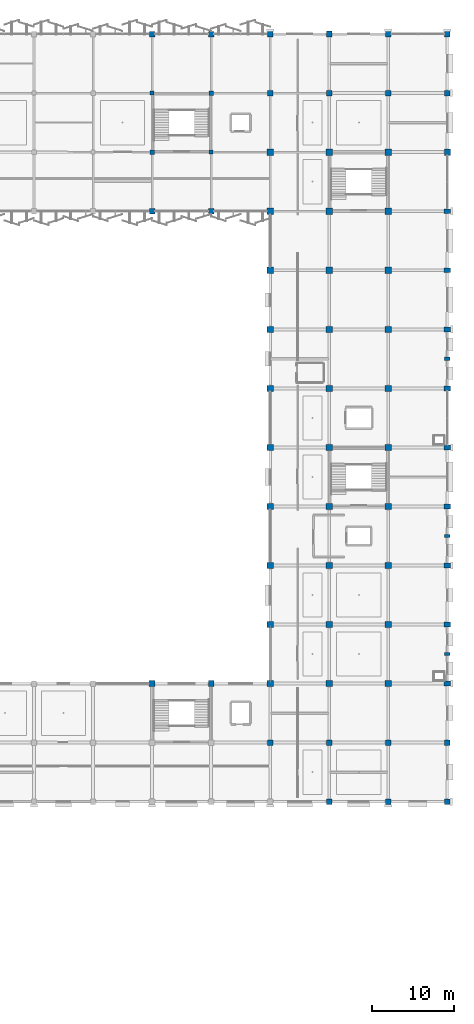
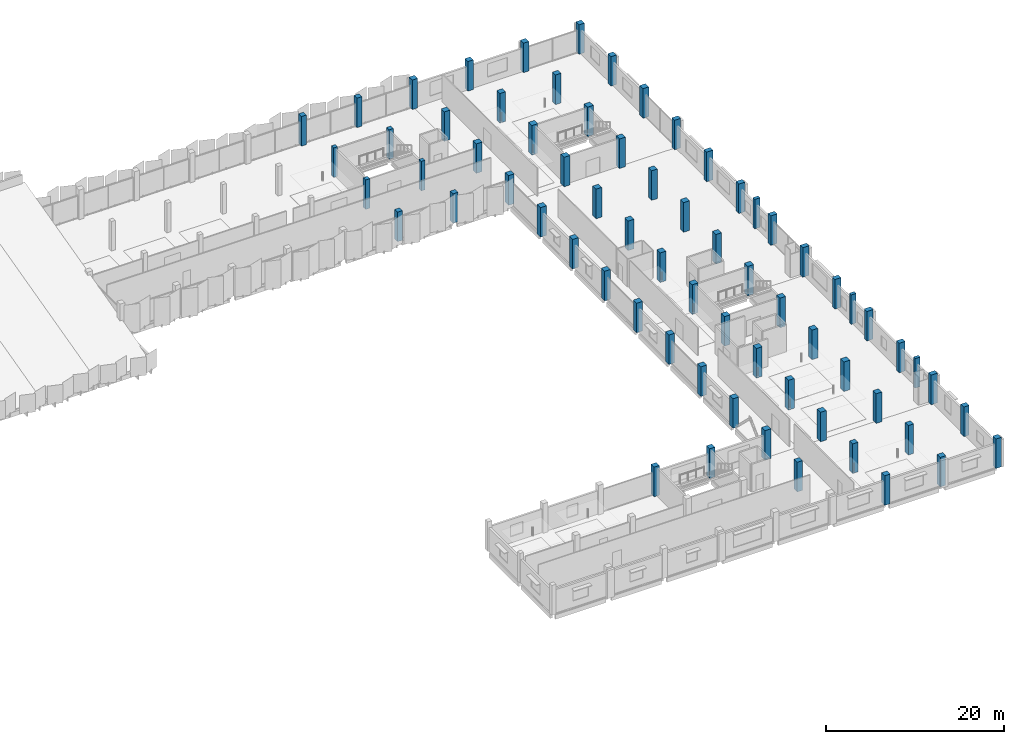
# One storey, part 2 of 108: 68 columns.
"""IFC4 building model written with IfcOpenShell, lengths in metres."""

from ifc_helpers import new_model, si_unit, direction, frame, origin, origin_2d, place, context, subcontext, project, spatial, rectangle, extrude, material, material_profile, profile_set, type_object, element, save


model = new_model("IFC4")

# Units and contexts
model_context = context("Model", 3, precision=1e-05, world=origin(), true_north=direction((0.0, 1.0)))
body_context = subcontext(model_context, "Body", "Model", "MODEL_VIEW")
ifc_project = project(units=[si_unit("LENGTHUNIT", "METRE"), si_unit("AREAUNIT", "SQUARE_METRE"), si_unit("VOLUMEUNIT", "CUBIC_METRE"), si_unit("PLANEANGLEUNIT", "RADIAN"), si_unit("MASSUNIT", "GRAM", prefix="KILO")], contexts=[model_context])

# Site, building, storey
site_placement = place(None, origin())
site = spatial("IfcSite", under=ifc_project, at=site_placement, CompositionType="ELEMENT")
building_placement = place(site_placement, origin())
building = spatial("IfcBuilding", under=site, at=building_placement, Name="Kangsadwip Square Police Headquarters", CompositionType="ELEMENT")
storey_placement = place(building_placement, frame((0.0, 0.0, 9.449951171875)))
storey = spatial("IfcBuildingStorey", under=building, at=storey_placement, Name="L02", CompositionType="ELEMENT", Elevation=9.449951171875)

# Columns
ifc_material_1 = material(Name="Concrete M35 (35 MPa)", Category="concrete")
ifc_material_profile_1 = material_profile(ifc_material_1, rectangle(XDim=0.5, YDim=0.5, at=origin_2d()), Name="RC COL 500X500")
ifc_profile_set_1 = profile_set([ifc_material_profile_1], Name="Concrete M35 (35 MPa)")
column_type_1 = type_object("IfcColumnType", Name="RcCol500x500", PredefinedType="COLUMN", material=ifc_profile_set_1)
for number, where, z_axis, x_axis, name in (
    (1, (129.60009765625, 108.0, 0.0), (0.0, 0.0, 1.0), (1.0, 0.0, 0.0), "Column COL-L02-18-15"),
    (2, (136.800048828125, 100.800048828125, 0.0), (0.0, 0.0, 1.0), (1.0, 0.0, 0.0), "Column COL-L02-19-14"),
):
    element("IfcColumn", number, at=place(storey_placement, frame(where, z_axis=z_axis, x_axis=x_axis)), inside=storey, type_object=column_type_1, Name=name, PredefinedType="COLUMN", context=body_context, shape_type="SweptSolid", body=[
        extrude(rectangle(XDim=0.5, YDim=0.5, at=origin_2d()), origin(), (0.0, 0.0, 1.0), 4.050048828125),
    ])
ifc_material_2 = material(Name="Concrete M35 (35 MPa)", Category="concrete")
ifc_material_profile_2 = material_profile(ifc_material_2, rectangle(XDim=0.550048828125, YDim=0.550048828125, at=origin_2d()), Name="RC COL 550X550")
ifc_profile_set_2 = profile_set([ifc_material_profile_2], Name="Concrete M35 (35 MPa)")
column_type_2 = type_object("IfcColumnType", Name="RcCol550x550", PredefinedType="COLUMN", material=ifc_profile_set_2)
for number, where, z_axis, x_axis, name in (
    (3, (129.60009765625, 100.800048828125, 0.0), (0.0, 0.0, 1.0), (1.0, 0.0, 0.0), "Column COL-L02-18-14"),
    (4, (136.800048828125, 108.0, 0.0), (0.0, 0.0, 1.0), (1.0, 0.0, 0.0), "Column COL-L02-19-15"),
):
    element("IfcColumn", number, at=place(storey_placement, frame(where, z_axis=z_axis, x_axis=x_axis)), inside=storey, type_object=column_type_2, Name=name, PredefinedType="COLUMN", context=body_context, shape_type="SweptSolid", body=[
        extrude(rectangle(XDim=0.550048828125, YDim=0.550048828125, at=origin_2d()), origin(), (0.0, 0.0, 1.0), 4.050048828125),
    ])
ifc_material_3 = material(Name="Concrete M40 (40 MPa)", Category="concrete")
ifc_material_profile_3 = material_profile(ifc_material_3, rectangle(XDim=0.64990234375, YDim=0.64990234375, at=origin_2d()), Name="RC COL 650X650")
ifc_profile_set_3 = profile_set([ifc_material_profile_3], Name="Concrete M40 (40 MPa)")
column_type_3 = type_object("IfcColumnType", Name="RcCol650x650", PredefinedType="COLUMN", material=ifc_profile_set_3)
for number, where, z_axis, x_axis, name in (
    (5, (129.60009765625, 93.60009765625, 0.0), (0.0, 0.0, 1.0), (1.0, 0.0, 0.0), "Column COL-L02-18-13"),
    (6, (129.60009765625, 115.199951171875, 0.0), (0.0, 0.0, 1.0), (1.0, 0.0, 0.0), "Column COL-L02-18-16"),
    (7, (136.800048828125, 93.60009765625, 0.0), (0.0, 0.0, 1.0), (1.0, 0.0, 0.0), "Column COL-L02-19-13"),
    (8, (136.800048828125, 115.199951171875, 0.0), (0.0, 0.0, 1.0), (1.0, 0.0, 0.0), "Column COL-L02-19-16"),
):
    element("IfcColumn", number, at=place(storey_placement, frame(where, z_axis=z_axis, x_axis=x_axis)), inside=storey, type_object=column_type_3, Name=name, PredefinedType="COLUMN", context=body_context, shape_type="SweptSolid", body=[
        extrude(rectangle(XDim=0.64990234375, YDim=0.64990234375, at=origin_2d()), origin(), (0.0, 0.0, 1.0), 4.050048828125),
    ])
ifc_material_4 = material(Name="Concrete M40 (40 MPa)", Category="concrete")
ifc_material_profile_4 = material_profile(ifc_material_4, rectangle(XDim=0.699951171875, YDim=0.699951171875, at=origin_2d()), Name="RC COL 700X700")
ifc_profile_set_4 = profile_set([ifc_material_profile_4], Name="Concrete M40 (40 MPa)")
column_type_4 = type_object("IfcColumnType", Name="RcCol700x700", PredefinedType="COLUMN", material=ifc_profile_set_4)
for number, where, z_axis, x_axis, name in (
    (9, (129.60009765625, 36.0, 0.0), (0.0, 0.0, 1.0), (1.0, 0.0, 0.0), "Column COL-L02-18-05"),
    (10, (136.800048828125, 36.0, 0.0), (0.0, 0.0, 1.0), (1.0, 0.0, 0.0), "Column COL-L02-19-05"),
    (11, (144.0, 28.800048828125, 0.0), (0.0, 0.0, 1.0), (1.0, 0.0, 0.0), "Column COL-L02-20-04"),
    (12, (144.0, 108.0, 0.0), (0.0, 0.0, 1.0), (1.0, 0.0, 0.0), "Column COL-L02-20-15"),
    (13, (144.0, 115.199951171875, 0.0), (0.0, 0.0, 1.0), (1.0, 0.0, 0.0), "Column COL-L02-20-16"),
    (14, (151.199951171875, 21.60009765625, 0.0), (0.0, 0.0, 1.0), (1.0, 0.0, 0.0), "Column COL-L02-21-03"),
    (15, (151.199951171875, 28.800048828125, 0.0), (0.0, 0.0, 1.0), (1.0, 0.0, 0.0), "Column COL-L02-21-04"),
    (16, (151.199951171875, 108.0, 0.0), (0.0, 0.0, 1.0), (1.0, 0.0, 0.0), "Column COL-L02-21-15"),
    (17, (151.199951171875, 115.199951171875, 0.0), (0.0, 0.0, 1.0), (1.0, 0.0, 0.0), "Column COL-L02-21-16"),
    (18, (158.39990234375, 21.60009765625, 0.0), (0.0, 0.0, 1.0), (1.0, 0.0, 0.0), "Column COL-L02-22-03"),
    (19, (158.39990234375, 28.800048828125, 0.0), (0.0, 0.0, 1.0), (1.0, 0.0, 0.0), "Column COL-L02-22-04"),
    (20, (158.39990234375, 108.0, 0.0), (0.0, 0.0, 1.0), (1.0, 0.0, 0.0), "Column COL-L02-22-15"),
    (21, (158.39990234375, 115.199951171875, 0.0), (0.0, 0.0, 1.0), (1.0, 0.0, 0.0), "Column COL-L02-22-16"),
    (22, (165.60009765625, 21.60009765625, 0.0), (0.0, 0.0, 1.0), (1.0, 0.0, 0.0), "Column COL-L02-23-03"),
    (23, (165.60009765625, 28.800048828125, 0.0), (0.0, 0.0, 1.0), (1.0, 0.0, 0.0), "Column COL-L02-23-04"),
    (24, (165.60009765625, 108.0, 0.0), (0.0, 0.0, 1.0), (1.0, 0.0, 0.0), "Column COL-L02-23-15"),
    (25, (165.60009765625, 115.199951171875, 0.0), (0.0, 0.0, 1.0), (1.0, 0.0, 0.0), "Column COL-L02-23-16"),
):
    element("IfcColumn", number, at=place(storey_placement, frame(where, z_axis=z_axis, x_axis=x_axis)), inside=storey, type_object=column_type_4, Name=name, PredefinedType="COLUMN", context=body_context, shape_type="SweptSolid", body=[
        extrude(rectangle(XDim=0.699951171875, YDim=0.699951171875, at=origin_2d()), origin(), (0.0, 0.0, 1.0), 4.050048828125),
    ])
ifc_material_5 = material(Name="Concrete M40 (40 MPa)", Category="concrete")
ifc_material_profile_5 = material_profile(ifc_material_5, rectangle(XDim=0.75, YDim=0.75, at=origin_2d()), Name="RC COL 750X750")
ifc_profile_set_5 = profile_set([ifc_material_profile_5], Name="Concrete M40 (40 MPa)")
column_type_5 = type_object("IfcColumnType", Name="RcCol750x750", PredefinedType="COLUMN", material=ifc_profile_set_5)
for number, where, z_axis, x_axis, name in (
    (26, (144.0, 36.0, 0.0), (0.0, 0.0, 1.0), (1.0, 0.0, 0.0), "Column COL-L02-20-05"),
    (27, (144.0, 43.199951171875, 0.0), (0.0, 0.0, 1.0), (1.0, 0.0, 0.0), "Column COL-L02-20-06"),
    (28, (144.0, 50.39990234375, 0.0), (0.0, 0.0, 1.0), (1.0, 0.0, 0.0), "Column COL-L02-20-07"),
    (29, (144.0, 57.60009765625, 0.0), (0.0, 0.0, 1.0), (1.0, 0.0, 0.0), "Column COL-L02-20-08"),
    (30, (144.0, 64.800048828125, 0.0), (0.0, 0.0, 1.0), (1.0, 0.0, 0.0), "Column COL-L02-20-09"),
    (31, (144.0, 72.0, 0.0), (0.0, 0.0, 1.0), (1.0, 0.0, 0.0), "Column COL-L02-20-10"),
    (32, (144.0, 79.199951171875, 0.0), (0.0, 0.0, 1.0), (1.0, 0.0, 0.0), "Column COL-L02-20-11"),
    (33, (144.0, 86.39990234375, 0.0), (0.0, 0.0, 1.0), (1.0, 0.0, 0.0), "Column COL-L02-20-12"),
    (34, (144.0, 93.60009765625, 0.0), (0.0, 0.0, 1.0), (1.0, 0.0, 0.0), "Column COL-L02-20-13"),
    (35, (144.0, 100.800048828125, 0.0), (0.0, 0.0, 1.0), (1.0, 0.0, 0.0), "Column COL-L02-20-14"),
    (36, (151.199951171875, 36.0, 0.0), (0.0, 0.0, 1.0), (1.0, 0.0, 0.0), "Column COL-L02-21-05"),
    (37, (151.199951171875, 43.199951171875, 0.0), (0.0, 0.0, 1.0), (1.0, 0.0, 0.0), "Column COL-L02-21-06"),
    (38, (151.199951171875, 50.39990234375, 0.0), (0.0, 0.0, 1.0), (1.0, 0.0, 0.0), "Column COL-L02-21-07"),
    (39, (151.199951171875, 57.60009765625, 0.0), (0.0, 0.0, 1.0), (1.0, 0.0, 0.0), "Column COL-L02-21-08"),
    (40, (151.199951171875, 64.800048828125, 0.0), (0.0, 0.0, 1.0), (1.0, 0.0, 0.0), "Column COL-L02-21-09"),
    (41, (151.199951171875, 72.0, 0.0), (0.0, 0.0, 1.0), (1.0, 0.0, 0.0), "Column COL-L02-21-10"),
    (42, (151.199951171875, 79.199951171875, 0.0), (0.0, 0.0, 1.0), (1.0, 0.0, 0.0), "Column COL-L02-21-11"),
    (43, (151.199951171875, 86.39990234375, 0.0), (0.0, 0.0, 1.0), (1.0, 0.0, 0.0), "Column COL-L02-21-12"),
    (44, (151.199951171875, 93.60009765625, 0.0), (0.0, 0.0, 1.0), (1.0, 0.0, 0.0), "Column COL-L02-21-13"),
    (45, (151.199951171875, 100.800048828125, 0.0), (0.0, 0.0, 1.0), (1.0, 0.0, 0.0), "Column COL-L02-21-14"),
    (46, (158.39990234375, 36.0, 0.0), (0.0, 0.0, 1.0), (1.0, 0.0, 0.0), "Column COL-L02-22-05"),
    (47, (158.39990234375, 43.199951171875, 0.0), (0.0, 0.0, 1.0), (1.0, 0.0, 0.0), "Column COL-L02-22-06"),
    (48, (158.39990234375, 50.39990234375, 0.0), (0.0, 0.0, 1.0), (1.0, 0.0, 0.0), "Column COL-L02-22-07"),
    (49, (158.39990234375, 57.60009765625, 0.0), (0.0, 0.0, 1.0), (1.0, 0.0, 0.0), "Column COL-L02-22-08"),
    (50, (158.39990234375, 64.800048828125, 0.0), (0.0, 0.0, 1.0), (1.0, 0.0, 0.0), "Column COL-L02-22-09"),
    (51, (158.39990234375, 72.0, 0.0), (0.0, 0.0, 1.0), (1.0, 0.0, 0.0), "Column COL-L02-22-10"),
    (52, (158.39990234375, 79.199951171875, 0.0), (0.0, 0.0, 1.0), (1.0, 0.0, 0.0), "Column COL-L02-22-11"),
    (53, (158.39990234375, 86.39990234375, 0.0), (0.0, 0.0, 1.0), (1.0, 0.0, 0.0), "Column COL-L02-22-12"),
    (54, (158.39990234375, 93.60009765625, 0.0), (0.0, 0.0, 1.0), (1.0, 0.0, 0.0), "Column COL-L02-22-13"),
    (55, (158.39990234375, 100.800048828125, 0.0), (0.0, 0.0, 1.0), (1.0, 0.0, 0.0), "Column COL-L02-22-14"),
    (56, (165.60009765625, 100.800048828125, 0.0), (0.0, 0.0, 1.0), (1.0, 0.0, 0.0), "Column COL-L02-23-14"),
):
    element("IfcColumn", number, at=place(storey_placement, frame(where, z_axis=z_axis, x_axis=x_axis)), inside=storey, type_object=column_type_5, Name=name, PredefinedType="COLUMN", context=body_context, shape_type="SweptSolid", body=[
        extrude(rectangle(XDim=0.75, YDim=0.75, at=origin_2d()), origin(), (0.0, 0.0, 1.0), 4.050048828125),
    ])
ifc_material_6 = material(Name="Concrete M40 (40 MPa)", Category="concrete")
ifc_material_profile_6 = material_profile(ifc_material_6, rectangle(XDim=0.60009765625, YDim=0.800048828125, at=origin_2d()), Name="RC COL 800X600")
ifc_profile_set_6 = profile_set([ifc_material_profile_6], Name="Concrete M40 (40 MPa)")
column_type_6 = type_object("IfcColumnType", Name="RcCol800x600", PredefinedType="COLUMN", material=ifc_profile_set_6)
for number, where, z_axis, x_axis, name in (
    (57, (165.60009765625, 36.0, 0.0), (0.0, 0.0, 1.0), (0.0, 1.0, 0.0), "Column COL-L02-23-05"),
    (58, (165.60009765625, 43.199951171875, 0.0), (0.0, 0.0, 1.0), (0.0, 1.0, 0.0), "Column COL-L02-23-06"),
    (59, (165.60009765625, 50.39990234375, 0.0), (0.0, 0.0, 1.0), (0.0, 1.0, 0.0), "Column COL-L02-23-07"),
    (60, (165.60009765625, 57.60009765625, 0.0), (0.0, 0.0, 1.0), (0.0, 1.0, 0.0), "Column COL-L02-23-08"),
    (61, (165.60009765625, 64.800048828125, 0.0), (0.0, 0.0, 1.0), (0.0, 1.0, 0.0), "Column COL-L02-23-09"),
    (62, (165.60009765625, 72.0, 0.0), (0.0, 0.0, 1.0), (0.0, 1.0, 0.0), "Column COL-L02-23-10"),
    (63, (165.60009765625, 79.199951171875, 0.0), (0.0, 0.0, 1.0), (0.0, 1.0, 0.0), "Column COL-L02-23-11"),
    (64, (165.60009765625, 86.39990234375, 0.0), (0.0, 0.0, 1.0), (0.0, 1.0, 0.0), "Column COL-L02-23-12"),
    (65, (165.60009765625, 93.60009765625, 0.0), (0.0, 0.0, 1.0), (0.0, 1.0, 0.0), "Column COL-L02-23-13"),
):
    element("IfcColumn", number, at=place(storey_placement, frame(where, z_axis=z_axis, x_axis=x_axis)), inside=storey, type_object=column_type_6, Name=name, PredefinedType="COLUMN", context=body_context, shape_type="SweptSolid", body=[
        extrude(rectangle(XDim=0.60009765625, YDim=0.800048828125, at=origin_2d()), origin(), (0.0, 0.0, 1.0), 4.050048828125),
    ])
ifc_material_7 = material(Name="Concrete M40 (40 MPa)", Category="concrete")
ifc_material_profile_7 = material_profile(ifc_material_7, rectangle(XDim=0.39990234375, YDim=0.64990234375, at=origin_2d()), Name="RC PIL 650X400")
ifc_profile_set_7 = profile_set([ifc_material_profile_7], Name="Concrete M40 (40 MPa)")
column_type_7 = type_object("IfcColumnType", Name="RcPil650x400", PredefinedType="PILASTER", material=ifc_profile_set_7)
for number, where, z_axis, x_axis, name in (
    (66, (165.60009765625, 39.60009765625, 0.0), (0.0, 0.0, 1.0), (0.0, 1.0, 0.0), "Colonnade Pilaster PIL-L02-031"),
    (67, (165.60009765625, 54.0, 0.0), (0.0, 0.0, 1.0), (0.0, 1.0, 0.0), "Colonnade Pilaster PIL-L02-039"),
    (68, (165.60009765625, 75.60009765625, 0.0), (0.0, 0.0, 1.0), (0.0, 1.0, 0.0), "Colonnade Pilaster PIL-L02-047"),
):
    element("IfcColumn", number, at=place(storey_placement, frame(where, z_axis=z_axis, x_axis=x_axis)), inside=storey, type_object=column_type_7, Name=name, PredefinedType="PILASTER", context=body_context, shape_type="SweptSolid", body=[
        extrude(rectangle(XDim=0.39990234375, YDim=0.64990234375, at=origin_2d()), origin(), (0.0, 0.0, 1.0), 4.050048828125),
    ])

save(model, "model.ifc")
